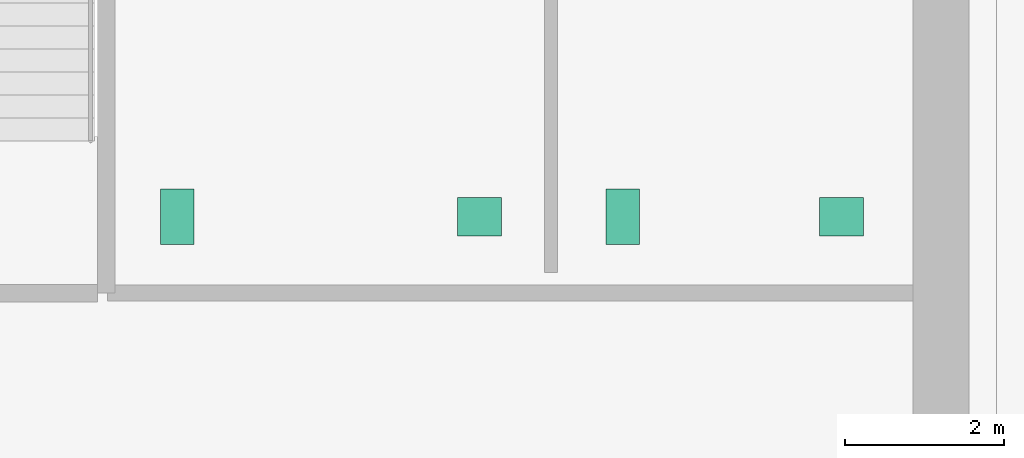
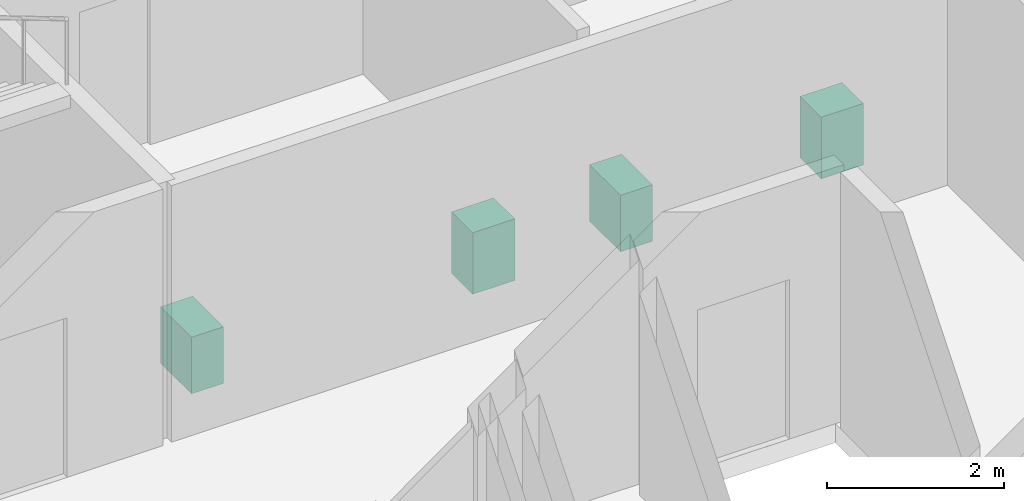
# One storey, part 11 of 11: 4 sanitary terminals.
"""IFC4 building model written with IfcOpenShell, lengths in metres."""

from ifc_helpers import new_model, si_unit, direction, frame, origin, origin_2d, place, context, subcontext, project, spatial, rectangle, extrude, material, type_object, element, save


model = new_model("IFC4")

# Units and contexts
model_context = context("Model", 3, precision=1e-05, world=origin(), true_north=direction((0.0, 1.0)))
body_context = subcontext(model_context, "Body", "Model", "MODEL_VIEW")
ifc_project = project(units=[si_unit("LENGTHUNIT", "METRE"), si_unit("AREAUNIT", "SQUARE_METRE"), si_unit("VOLUMEUNIT", "CUBIC_METRE"), si_unit("PLANEANGLEUNIT", "RADIAN"), si_unit("MASSUNIT", "GRAM", prefix="KILO")], contexts=[model_context])

# Site, building, storey
site_placement = place(None, origin())
site = spatial("IfcSite", under=ifc_project, at=site_placement, CompositionType="ELEMENT")
building_placement = place(site_placement, origin())
building = spatial("IfcBuilding", under=site, at=building_placement, Name="Norrvale University Quadrangle", CompositionType="ELEMENT")
storey_placement = place(building_placement, frame((0.0, 0.0, 202.800048828125)))
storey = spatial("IfcBuildingStorey", under=building, at=storey_placement, Name="L51", CompositionType="ELEMENT", Elevation=202.800048828125)

# Sanitary terminals
ifc_material = material(Name="Vitreous China Sanitaryware")
sanitary_terminal_type_1 = type_object("IfcSanitaryTerminalType", Name="Sanitary Wash Basin", PredefinedType="WASHHANDBASIN", material=ifc_material)
for number, where, z_axis, x_axis, name in (
    (1, (11.0, 41.10009765625, 0.0), (0.0, 0.0, 1.0), (1.0, 0.0, 0.0), "Accessible Countertop Washbasin L51-1"),
    (2, (15.550048828125, 41.10009765625, 0.0), (0.0, 0.0, 1.0), (1.0, 0.0, 0.0), "Accessible Countertop Washbasin L51-2"),
):
    element("IfcSanitaryTerminal", number, at=place(storey_placement, frame(where, z_axis=z_axis, x_axis=x_axis)), inside=storey, type_object=sanitary_terminal_type_1, Name=name, PredefinedType="WASHHANDBASIN", context=body_context, shape_type="SweptSolid", body=[
        extrude(rectangle(XDim=0.550048828125, YDim=0.47998046875, at=origin_2d()), origin(), (0.0, 0.0, 1.0), 0.85009765625),
    ])
sanitary_terminal_type_2 = type_object("IfcSanitaryTerminalType", Name="Sanitary Water Closet", PredefinedType="TOILETPAN", material=ifc_material)
for number, where, z_axis, x_axis, name in (
    (3, (7.199951171875, 41.10009765625, 0.0), (0.0, 0.0, 1.0), (1.0, 0.0, 0.0), "Wall-Hung Water Closet L51-1"),
    (4, (12.800048828125, 41.10009765625, 0.0), (0.0, 0.0, 1.0), (1.0, 0.0, 0.0), "Wall-Hung Water Closet L51-2"),
):
    element("IfcSanitaryTerminal", number, at=place(storey_placement, frame(where, z_axis=z_axis, x_axis=x_axis)), inside=storey, type_object=sanitary_terminal_type_2, Name=name, PredefinedType="TOILETPAN", context=body_context, shape_type="SweptSolid", body=[
        extrude(rectangle(XDim=0.419921875, YDim=0.699951171875, at=origin_2d()), origin(), (0.0, 0.0, 1.0), 0.780029296875),
    ])

save(model, "model.ifc")
